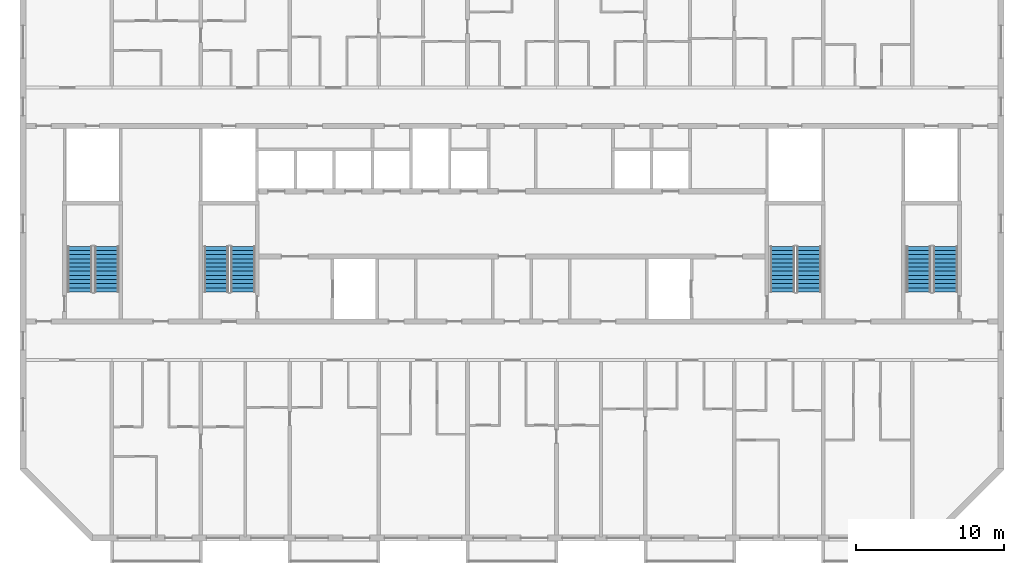
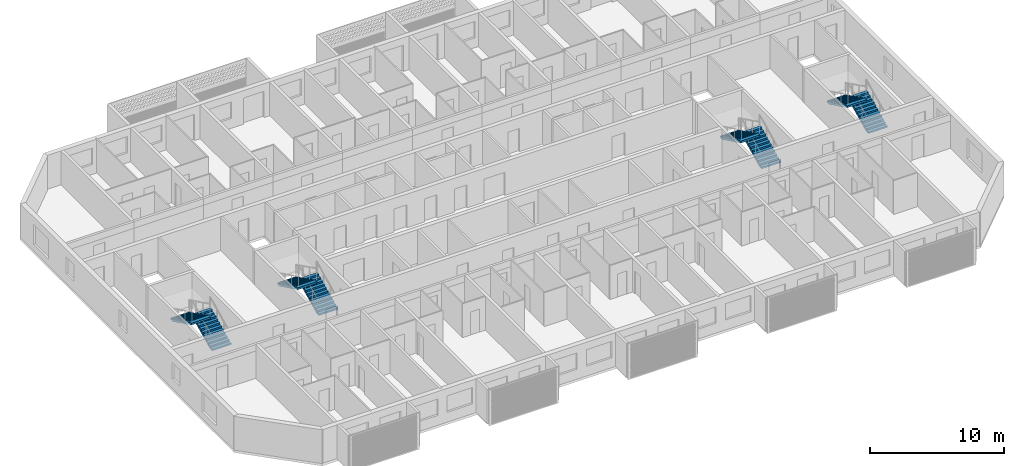
# One storey, part 12 of 27: 8 stair flights, 4 elements without a shape of their own.
"""IFC4 building model written with IfcOpenShell, lengths in metres."""

from ifc_helpers import new_model, si_unit, direction, frame, origin, place, context, subcontext, project, spatial, polyline, outline, extrude, material, layer, layer_set, type_object, element, aggregate, save


model = new_model("IFC4")

# Units and contexts
model_context = context("Model", 3, precision=1e-05, world=origin(), true_north=direction((0.0, 1.0)))
body_context = subcontext(model_context, "Body", "Model", "MODEL_VIEW")
ifc_project = project(units=[si_unit("LENGTHUNIT", "METRE"), si_unit("AREAUNIT", "SQUARE_METRE"), si_unit("VOLUMEUNIT", "CUBIC_METRE"), si_unit("PLANEANGLEUNIT", "RADIAN"), si_unit("MASSUNIT", "GRAM", prefix="KILO")], contexts=[model_context])

# Site, building, storey
site_placement = place(None, origin())
site = spatial("IfcSite", under=ifc_project, at=site_placement, CompositionType="ELEMENT")
building_placement = place(site_placement, origin())
building = spatial("IfcBuilding", under=site, at=building_placement, Name="Poui Terraces", CompositionType="ELEMENT")
storey_placement = place(building_placement, frame((0.0, 0.0, 254.39990234375)))
storey = spatial("IfcBuildingStorey", under=building, at=storey_placement, Name="L71", CompositionType="ELEMENT", Elevation=254.39990234375)

# Stair, stair flights
ifc_material = material(Name="Concrete 50 MPa", Category="concrete")
stair_type = type_object("IfcStairType", Name="EXIT STAIR 1650 50 MPA", PredefinedType="HALF_TURN_STAIR", material=ifc_material)
stair_1_placement = place(storey_placement, origin())
stair_1 = element("IfcStair", 1, at=stair_1_placement, inside=storey, type_object=stair_type, Name="L71 CORE STAIR EAST", PredefinedType="HALF_TURN_STAIR")
ifc_layer = layer(ifc_material, 0.14990234375)
ifc_layer_set = layer_set([ifc_layer], Name="Concrete 50 MPa")
stair_flight_type = type_object("IfcStairFlightType", Name="STAIR FLIGHT 12 RISERS 138 RISE 50 MPA", PredefinedType="STRAIGHT", material=ifc_layer_set)
stair_flight_1_placement = place(storey_placement, frame((71.050048828125, 16.60009765625, 0.0), z_axis=(0.0, 0.0, 1.0), x_axis=(0.0, 1.0, 0.0)))
stair_flight_1 = element("IfcStairFlight", 2, at=stair_flight_1_placement, type_object=stair_flight_type, Name="ST-CE flight 1", NumberOfRisers=12, NumberOfTreads=11, PredefinedType="STRAIGHT", RiserHeight=0.1375, TreadLength=0.28, context=body_context, shape_type="SweptSolid", body=[
    extrude(outline(polyline([(0.0, 0.0), (0.0, 0.137451171875), (0.280029296875, 0.137451171875), (0.280029296875, 0.27490234375), (0.56005859375, 0.27490234375), (0.56005859375, 0.41259765625), (0.840087890625, 0.41259765625), (0.840087890625, 0.550048828125), (1.1201171875, 0.550048828125), (1.1201171875, 0.6875), (1.39990234375, 0.6875), (1.39990234375, 0.824951171875), (1.679931640625, 0.824951171875), (1.679931640625, 0.96240234375), (1.9599609375, 0.96240234375), (1.9599609375, 1.10009765625), (2.239990234375, 1.10009765625), (2.239990234375, 1.237548828125), (2.52001953125, 1.237548828125), (2.52001953125, 1.375), (2.800048828125, 1.375), (2.800048828125, 1.512451171875), (3.080078125, 1.512451171875), (3.080078125, 1.64990234375), (3.080078125, 1.345458984375), (0.340087890625, 0.0), (0.0, 0.0)])), frame((0.0, 0.824951171875, 0.0), z_axis=(0.0, -1.0, 0.0), x_axis=(1.0, 0.0, 0.0)), (0.0, 0.0, 1.0), 1.64990234375),
])
stair_flight_2_placement = place(storey_placement, frame((69.25, 19.679931640625, 1.650146484375), z_axis=(0.0, 0.0, 1.0), x_axis=(0.0, -1.0, 0.0)))
stair_flight_2 = element("IfcStairFlight", 3, at=stair_flight_2_placement, type_object=stair_flight_type, Name="ST-CE flight 2", NumberOfRisers=12, NumberOfTreads=11, PredefinedType="STRAIGHT", RiserHeight=0.1375, TreadLength=0.28, context=body_context, shape_type="SweptSolid", body=[
    extrude(outline(polyline([(0.0, 0.0), (0.0, 0.137451171875), (0.280029296875, 0.137451171875), (0.280029296875, 0.27490234375), (0.56005859375, 0.27490234375), (0.56005859375, 0.41259765625), (0.840087890625, 0.41259765625), (0.840087890625, 0.550048828125), (1.1201171875, 0.550048828125), (1.1201171875, 0.6875), (1.39990234375, 0.6875), (1.39990234375, 0.824951171875), (1.679931640625, 0.824951171875), (1.679931640625, 0.96240234375), (1.9599609375, 0.96240234375), (1.9599609375, 1.10009765625), (2.239990234375, 1.10009765625), (2.239990234375, 1.237548828125), (2.52001953125, 1.237548828125), (2.52001953125, 1.375), (2.800048828125, 1.375), (2.800048828125, 1.512451171875), (3.080078125, 1.512451171875), (3.080078125, 1.64990234375), (3.080078125, 1.345458984375), (0.340087890625, 0.0), (0.0, 0.0)])), frame((0.0, 0.824951171875, 0.0), z_axis=(0.0, -1.0, 0.0), x_axis=(1.0, 0.0, 0.0)), (0.0, 0.0, 1.0), 1.64990234375),
])
aggregate(stair_1, [stair_flight_1, stair_flight_2])

stair_2_placement = place(storey_placement, origin())
stair_2 = element("IfcStair", 4, at=stair_2_placement, inside=storey, type_object=stair_type, Name="L71 CORE STAIR WEST", PredefinedType="HALF_TURN_STAIR")
stair_flight_3_placement = place(storey_placement, frame((32.85009765625, 16.60009765625, 0.0), z_axis=(0.0, 0.0, 1.0), x_axis=(0.0, 1.0, 0.0)))
stair_flight_3 = element("IfcStairFlight", 5, at=stair_flight_3_placement, type_object=stair_flight_type, Name="ST-CW flight 1", NumberOfRisers=12, NumberOfTreads=11, PredefinedType="STRAIGHT", RiserHeight=0.1375, TreadLength=0.28, context=body_context, shape_type="SweptSolid", body=[
    extrude(outline(polyline([(0.0, 0.0), (0.0, 0.137451171875), (0.280029296875, 0.137451171875), (0.280029296875, 0.27490234375), (0.56005859375, 0.27490234375), (0.56005859375, 0.41259765625), (0.840087890625, 0.41259765625), (0.840087890625, 0.550048828125), (1.1201171875, 0.550048828125), (1.1201171875, 0.6875), (1.39990234375, 0.6875), (1.39990234375, 0.824951171875), (1.679931640625, 0.824951171875), (1.679931640625, 0.96240234375), (1.9599609375, 0.96240234375), (1.9599609375, 1.10009765625), (2.239990234375, 1.10009765625), (2.239990234375, 1.237548828125), (2.52001953125, 1.237548828125), (2.52001953125, 1.375), (2.800048828125, 1.375), (2.800048828125, 1.512451171875), (3.080078125, 1.512451171875), (3.080078125, 1.64990234375), (3.080078125, 1.345458984375), (0.340087890625, 0.0), (0.0, 0.0)])), frame((0.0, 0.824951171875, 0.0), z_axis=(0.0, -1.0, 0.0), x_axis=(1.0, 0.0, 0.0)), (0.0, 0.0, 1.0), 1.64990234375),
])
stair_flight_4_placement = place(storey_placement, frame((31.050048828125, 19.679931640625, 1.650146484375), z_axis=(0.0, 0.0, 1.0), x_axis=(0.0, -1.0, 0.0)))
stair_flight_4 = element("IfcStairFlight", 6, at=stair_flight_4_placement, type_object=stair_flight_type, Name="ST-CW flight 2", NumberOfRisers=12, NumberOfTreads=11, PredefinedType="STRAIGHT", RiserHeight=0.1375, TreadLength=0.28, context=body_context, shape_type="SweptSolid", body=[
    extrude(outline(polyline([(0.0, 0.0), (0.0, 0.137451171875), (0.280029296875, 0.137451171875), (0.280029296875, 0.27490234375), (0.56005859375, 0.27490234375), (0.56005859375, 0.41259765625), (0.840087890625, 0.41259765625), (0.840087890625, 0.550048828125), (1.1201171875, 0.550048828125), (1.1201171875, 0.6875), (1.39990234375, 0.6875), (1.39990234375, 0.824951171875), (1.679931640625, 0.824951171875), (1.679931640625, 0.96240234375), (1.9599609375, 0.96240234375), (1.9599609375, 1.10009765625), (2.239990234375, 1.10009765625), (2.239990234375, 1.237548828125), (2.52001953125, 1.237548828125), (2.52001953125, 1.375), (2.800048828125, 1.375), (2.800048828125, 1.512451171875), (3.080078125, 1.512451171875), (3.080078125, 1.64990234375), (3.080078125, 1.345458984375), (0.340087890625, 0.0), (0.0, 0.0)])), frame((0.0, 0.824951171875, 0.0), z_axis=(0.0, -1.0, 0.0), x_axis=(1.0, 0.0, 0.0)), (0.0, 0.0, 1.0), 1.64990234375),
])
aggregate(stair_2, [stair_flight_3, stair_flight_4])

stair_3_placement = place(storey_placement, origin())
stair_3 = element("IfcStair", 7, at=stair_3_placement, inside=storey, type_object=stair_type, Name="L71 TIP STAIR EAST", PredefinedType="HALF_TURN_STAIR")
stair_flight_5_placement = place(storey_placement, frame((80.25, 16.60009765625, 0.0), z_axis=(0.0, 0.0, 1.0), x_axis=(0.0, 1.0, 0.0)))
stair_flight_5 = element("IfcStairFlight", 8, at=stair_flight_5_placement, type_object=stair_flight_type, Name="ST-E flight 1", NumberOfRisers=12, NumberOfTreads=11, PredefinedType="STRAIGHT", RiserHeight=0.1375, TreadLength=0.28, context=body_context, shape_type="SweptSolid", body=[
    extrude(outline(polyline([(0.0, 0.0), (0.0, 0.137451171875), (0.280029296875, 0.137451171875), (0.280029296875, 0.27490234375), (0.56005859375, 0.27490234375), (0.56005859375, 0.41259765625), (0.840087890625, 0.41259765625), (0.840087890625, 0.550048828125), (1.1201171875, 0.550048828125), (1.1201171875, 0.6875), (1.39990234375, 0.6875), (1.39990234375, 0.824951171875), (1.679931640625, 0.824951171875), (1.679931640625, 0.96240234375), (1.9599609375, 0.96240234375), (1.9599609375, 1.10009765625), (2.239990234375, 1.10009765625), (2.239990234375, 1.237548828125), (2.52001953125, 1.237548828125), (2.52001953125, 1.375), (2.800048828125, 1.375), (2.800048828125, 1.512451171875), (3.080078125, 1.512451171875), (3.080078125, 1.64990234375), (3.080078125, 1.345458984375), (0.340087890625, 0.0), (0.0, 0.0)])), frame((0.0, 0.824951171875, 0.0), z_axis=(0.0, -1.0, 0.0), x_axis=(1.0, 0.0, 0.0)), (0.0, 0.0, 1.0), 1.64990234375),
])
stair_flight_6_placement = place(storey_placement, frame((78.449951171875, 19.679931640625, 1.650146484375), z_axis=(0.0, 0.0, 1.0), x_axis=(0.0, -1.0, 0.0)))
stair_flight_6 = element("IfcStairFlight", 9, at=stair_flight_6_placement, type_object=stair_flight_type, Name="ST-E flight 2", NumberOfRisers=12, NumberOfTreads=11, PredefinedType="STRAIGHT", RiserHeight=0.1375, TreadLength=0.28, context=body_context, shape_type="SweptSolid", body=[
    extrude(outline(polyline([(0.0, 0.0), (0.0, 0.137451171875), (0.280029296875, 0.137451171875), (0.280029296875, 0.27490234375), (0.56005859375, 0.27490234375), (0.56005859375, 0.41259765625), (0.840087890625, 0.41259765625), (0.840087890625, 0.550048828125), (1.1201171875, 0.550048828125), (1.1201171875, 0.6875), (1.39990234375, 0.6875), (1.39990234375, 0.824951171875), (1.679931640625, 0.824951171875), (1.679931640625, 0.96240234375), (1.9599609375, 0.96240234375), (1.9599609375, 1.10009765625), (2.239990234375, 1.10009765625), (2.239990234375, 1.237548828125), (2.52001953125, 1.237548828125), (2.52001953125, 1.375), (2.800048828125, 1.375), (2.800048828125, 1.512451171875), (3.080078125, 1.512451171875), (3.080078125, 1.64990234375), (3.080078125, 1.345458984375), (0.340087890625, 0.0), (0.0, 0.0)])), frame((0.0, 0.824951171875, 0.0), z_axis=(0.0, -1.0, 0.0), x_axis=(1.0, 0.0, 0.0)), (0.0, 0.0, 1.0), 1.64990234375),
])
aggregate(stair_3, [stair_flight_5, stair_flight_6])

stair_4_placement = place(storey_placement, origin())
stair_4 = element("IfcStair", 10, at=stair_4_placement, inside=storey, type_object=stair_type, Name="L71 TIP STAIR WEST", PredefinedType="HALF_TURN_STAIR")
stair_flight_7_placement = place(storey_placement, frame((23.64990234375, 16.60009765625, 0.0), z_axis=(0.0, 0.0, 1.0), x_axis=(0.0, 1.0, 0.0)))
stair_flight_7 = element("IfcStairFlight", 11, at=stair_flight_7_placement, type_object=stair_flight_type, Name="ST-W flight 1", NumberOfRisers=12, NumberOfTreads=11, PredefinedType="STRAIGHT", RiserHeight=0.1375, TreadLength=0.28, context=body_context, shape_type="SweptSolid", body=[
    extrude(outline(polyline([(0.0, 0.0), (0.0, 0.137451171875), (0.280029296875, 0.137451171875), (0.280029296875, 0.27490234375), (0.56005859375, 0.27490234375), (0.56005859375, 0.41259765625), (0.840087890625, 0.41259765625), (0.840087890625, 0.550048828125), (1.1201171875, 0.550048828125), (1.1201171875, 0.6875), (1.39990234375, 0.6875), (1.39990234375, 0.824951171875), (1.679931640625, 0.824951171875), (1.679931640625, 0.96240234375), (1.9599609375, 0.96240234375), (1.9599609375, 1.10009765625), (2.239990234375, 1.10009765625), (2.239990234375, 1.237548828125), (2.52001953125, 1.237548828125), (2.52001953125, 1.375), (2.800048828125, 1.375), (2.800048828125, 1.512451171875), (3.080078125, 1.512451171875), (3.080078125, 1.64990234375), (3.080078125, 1.345458984375), (0.340087890625, 0.0), (0.0, 0.0)])), frame((0.0, 0.824951171875, 0.0), z_axis=(0.0, -1.0, 0.0), x_axis=(1.0, 0.0, 0.0)), (0.0, 0.0, 1.0), 1.64990234375),
])
stair_flight_8_placement = place(storey_placement, frame((21.85009765625, 19.679931640625, 1.650146484375), z_axis=(0.0, 0.0, 1.0), x_axis=(0.0, -1.0, 0.0)))
stair_flight_8 = element("IfcStairFlight", 12, at=stair_flight_8_placement, type_object=stair_flight_type, Name="ST-W flight 2", NumberOfRisers=12, NumberOfTreads=11, PredefinedType="STRAIGHT", RiserHeight=0.1375, TreadLength=0.28, context=body_context, shape_type="SweptSolid", body=[
    extrude(outline(polyline([(0.0, 0.0), (0.0, 0.137451171875), (0.280029296875, 0.137451171875), (0.280029296875, 0.27490234375), (0.56005859375, 0.27490234375), (0.56005859375, 0.41259765625), (0.840087890625, 0.41259765625), (0.840087890625, 0.550048828125), (1.1201171875, 0.550048828125), (1.1201171875, 0.6875), (1.39990234375, 0.6875), (1.39990234375, 0.824951171875), (1.679931640625, 0.824951171875), (1.679931640625, 0.96240234375), (1.9599609375, 0.96240234375), (1.9599609375, 1.10009765625), (2.239990234375, 1.10009765625), (2.239990234375, 1.237548828125), (2.52001953125, 1.237548828125), (2.52001953125, 1.375), (2.800048828125, 1.375), (2.800048828125, 1.512451171875), (3.080078125, 1.512451171875), (3.080078125, 1.64990234375), (3.080078125, 1.345458984375), (0.340087890625, 0.0), (0.0, 0.0)])), frame((0.0, 0.824951171875, 0.0), z_axis=(0.0, -1.0, 0.0), x_axis=(1.0, 0.0, 0.0)), (0.0, 0.0, 1.0), 1.64990234375),
])
aggregate(stair_4, [stair_flight_7, stair_flight_8])

save(model, "model.ifc")
